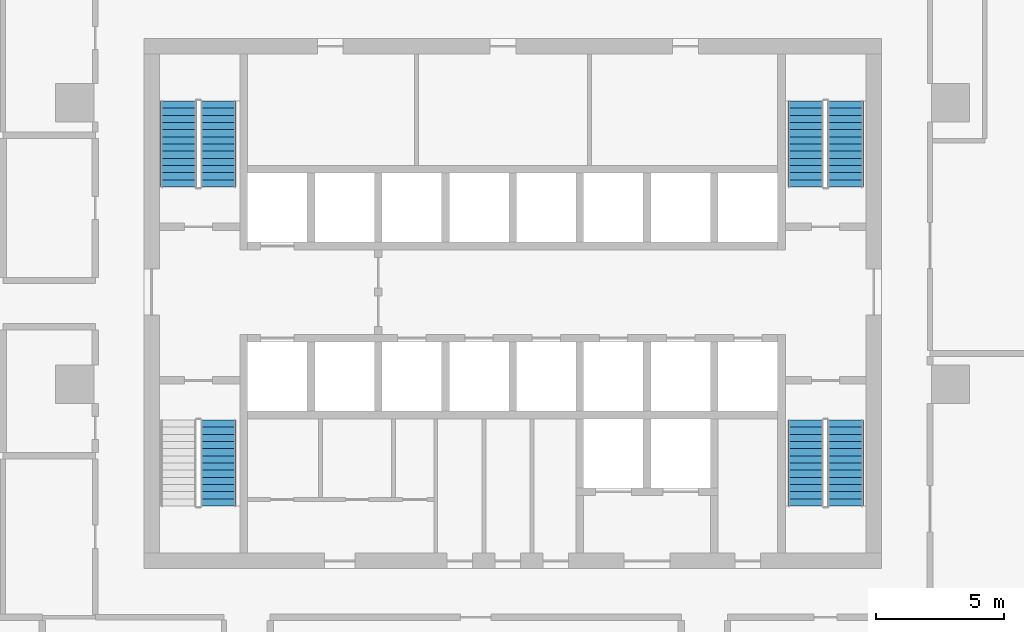
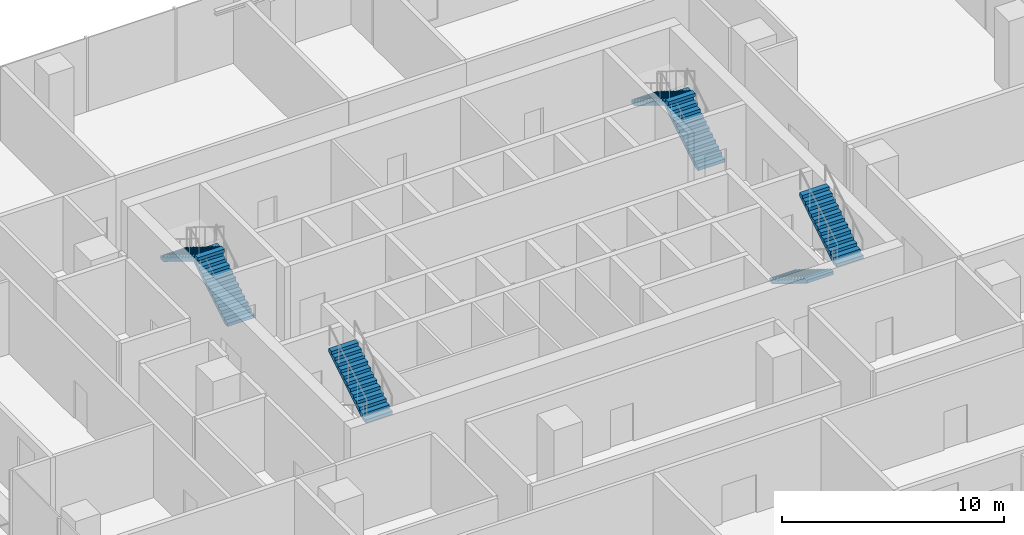
# One storey, part 11 of 15: 7 stair flights, 4 elements without a shape of their own.
"""IFC4 building model written with IfcOpenShell, lengths in metres."""

from ifc_helpers import new_model, si_unit, direction, frame, origin, place, context, subcontext, project, spatial, polyline, outline, extrude, material, type_object, element, aggregate, save


model = new_model("IFC4")

# Units and contexts
model_context = context("Model", 3, precision=1e-05, world=origin(), true_north=direction((0.0, 1.0)))
body_context = subcontext(model_context, "Body", "Model", "MODEL_VIEW")
ifc_project = project(units=[si_unit("LENGTHUNIT", "METRE"), si_unit("AREAUNIT", "SQUARE_METRE"), si_unit("VOLUMEUNIT", "CUBIC_METRE"), si_unit("PLANEANGLEUNIT", "RADIAN"), si_unit("MASSUNIT", "GRAM", prefix="KILO")], contexts=[model_context])

# Site, building, storey
site_placement = place(None, origin())
site = spatial("IfcSite", under=ifc_project, at=site_placement, CompositionType="ELEMENT")
building_placement = place(site_placement, origin())
building = spatial("IfcBuilding", under=site, at=building_placement, Name="Mopane Tessera Tower", CompositionType="ELEMENT")
storey_placement = place(building_placement, frame((0.0, 0.0, 117.10009765625)))
storey = spatial("IfcBuildingStorey", under=building, at=storey_placement, Name="L23", CompositionType="ELEMENT", Elevation=117.10009765625)

# Stair, stair flight
ifc_material_1 = material(Name="Concrete C50/60", Category="concrete")
stair_type = type_object("IfcStairType", Name="Escape stair 1400 mm, riser 173 mm", PredefinedType="HALF_TURN_STAIR", material=ifc_material_1)
stair_1_placement = place(storey_placement, origin())
stair_1 = element("IfcStair", 1, at=stair_1_placement, inside=storey, type_object=stair_type, Name="L23 Escape stair south-west", PredefinedType="HALF_TURN_STAIR")
ifc_material_2 = material(Name="Concrete C50/60", Category="concrete")
stair_flight_type = type_object("IfcStairFlightType", Name="Escape stair flight 1400 mm", PredefinedType="STRAIGHT", material=ifc_material_2)
stair_flight_1_placement = place(storey_placement, frame((-11.5, -4.760009765625, 2.25), z_axis=(0.0, 0.0, 1.0), x_axis=(0.0, 1.0, 0.0)))
stair_flight_1 = element("IfcStairFlight", 2, at=stair_flight_1_placement, type_object=stair_flight_type, Name="ST1 flight 2", NumberOfRisers=13, NumberOfTreads=12, PredefinedType="STRAIGHT", RiserHeight=0.173076923, TreadLength=0.28, context=body_context, shape_type="SweptSolid", body=[
    extrude(outline(polyline([(0.0, 0.0), (0.0, 0.173095703125), (0.280029296875, 0.173095703125), (0.280029296875, 0.34619140625), (0.56005859375, 0.34619140625), (0.56005859375, 0.519287109375), (0.840087890625, 0.519287109375), (0.840087890625, 0.6923828125), (1.1201171875, 0.6923828125), (1.1201171875, 0.865478515625), (1.39990234375, 0.865478515625), (1.39990234375, 1.03857421875), (1.679931640625, 1.03857421875), (1.679931640625, 1.21142578125), (1.9599609375, 1.21142578125), (1.9599609375, 1.384521484375), (2.239990234375, 1.384521484375), (2.239990234375, 1.5576171875), (2.52001953125, 1.5576171875), (2.52001953125, 1.730712890625), (2.800048828125, 1.730712890625), (2.800048828125, 1.90380859375), (3.080078125, 1.90380859375), (3.080078125, 2.076904296875), (3.360107421875, 2.076904296875), (3.360107421875, 2.25), (3.360107421875, 1.900634765625), (0.28515625, 0.0), (0.0, 0.0)])), frame((0.0, 0.699951171875, 0.0), z_axis=(0.0, -1.0, 0.0), x_axis=(1.0, 0.0, 0.0)), (0.0, 0.0, 1.0), 1.39990234375),
])
aggregate(stair_1, [stair_flight_1])

# Stair, stair flights
stair_2_placement = place(storey_placement, origin())
stair_2 = element("IfcStair", 3, at=stair_2_placement, inside=storey, type_object=stair_type, Name="L23 Escape stair north-west", PredefinedType="HALF_TURN_STAIR")
stair_flight_2_placement = place(storey_placement, frame((-11.5, 7.699951171875, 0.0), z_axis=(0.0, 0.0, 1.0), x_axis=(0.0, 1.0, 0.0)))
stair_flight_2 = element("IfcStairFlight", 4, at=stair_flight_2_placement, type_object=stair_flight_type, Name="ST2 flight 1", NumberOfRisers=13, NumberOfTreads=12, PredefinedType="STRAIGHT", RiserHeight=0.173076923, TreadLength=0.28, context=body_context, shape_type="SweptSolid", body=[
    extrude(outline(polyline([(0.0, 0.0), (0.0, 0.173095703125), (0.280029296875, 0.173095703125), (0.280029296875, 0.34619140625), (0.56005859375, 0.34619140625), (0.56005859375, 0.519287109375), (0.840087890625, 0.519287109375), (0.840087890625, 0.6923828125), (1.1201171875, 0.6923828125), (1.1201171875, 0.865478515625), (1.39990234375, 0.865478515625), (1.39990234375, 1.03857421875), (1.679931640625, 1.03857421875), (1.679931640625, 1.21142578125), (1.9599609375, 1.21142578125), (1.9599609375, 1.384521484375), (2.239990234375, 1.384521484375), (2.239990234375, 1.5576171875), (2.52001953125, 1.5576171875), (2.52001953125, 1.730712890625), (2.800048828125, 1.730712890625), (2.800048828125, 1.90380859375), (3.080078125, 1.90380859375), (3.080078125, 2.076904296875), (3.360107421875, 2.076904296875), (3.360107421875, 2.25), (3.360107421875, 1.900634765625), (0.28515625, 0.0), (0.0, 0.0)])), frame((0.0, 0.699951171875, 0.0), z_axis=(0.0, -1.0, 0.0), x_axis=(1.0, 0.0, 0.0)), (0.0, 0.0, 1.0), 1.39990234375),
])
stair_flight_3_placement = place(storey_placement, frame((-13.050048828125, 11.06005859375, 2.25), z_axis=(0.0, 0.0, 1.0), x_axis=(0.0, -1.0, 0.0)))
stair_flight_3 = element("IfcStairFlight", 5, at=stair_flight_3_placement, type_object=stair_flight_type, Name="ST2 flight 2", NumberOfRisers=13, NumberOfTreads=12, PredefinedType="STRAIGHT", RiserHeight=0.173076923, TreadLength=0.28, context=body_context, shape_type="SweptSolid", body=[
    extrude(outline(polyline([(0.0, 0.0), (0.0, 0.173095703125), (0.280029296875, 0.173095703125), (0.280029296875, 0.34619140625), (0.56005859375, 0.34619140625), (0.56005859375, 0.519287109375), (0.840087890625, 0.519287109375), (0.840087890625, 0.6923828125), (1.1201171875, 0.6923828125), (1.1201171875, 0.865478515625), (1.39990234375, 0.865478515625), (1.39990234375, 1.03857421875), (1.679931640625, 1.03857421875), (1.679931640625, 1.21142578125), (1.9599609375, 1.21142578125), (1.9599609375, 1.384521484375), (2.239990234375, 1.384521484375), (2.239990234375, 1.5576171875), (2.52001953125, 1.5576171875), (2.52001953125, 1.730712890625), (2.800048828125, 1.730712890625), (2.800048828125, 1.90380859375), (3.080078125, 1.90380859375), (3.080078125, 2.076904296875), (3.360107421875, 2.076904296875), (3.360107421875, 2.25), (3.360107421875, 1.900634765625), (0.28515625, 0.0), (0.0, 0.0)])), frame((0.0, 0.699951171875, 0.0), z_axis=(0.0, -1.0, 0.0), x_axis=(1.0, 0.0, 0.0)), (0.0, 0.0, 1.0), 1.39990234375),
])
aggregate(stair_2, [stair_flight_2, stair_flight_3])

stair_3_placement = place(storey_placement, origin())
stair_3 = element("IfcStair", 6, at=stair_3_placement, inside=storey, type_object=stair_type, Name="L23 Escape stair south-east", PredefinedType="HALF_TURN_STAIR")
stair_flight_4_placement = place(storey_placement, frame((11.449951171875, -1.39990234375, 0.0), z_axis=(0.0, 0.0, 1.0), x_axis=(0.0, -1.0, 0.0)))
stair_flight_4 = element("IfcStairFlight", 7, at=stair_flight_4_placement, type_object=stair_flight_type, Name="ST3 flight 1", NumberOfRisers=13, NumberOfTreads=12, PredefinedType="STRAIGHT", RiserHeight=0.173076923, TreadLength=0.28, context=body_context, shape_type="SweptSolid", body=[
    extrude(outline(polyline([(0.0, 0.0), (0.0, 0.173095703125), (0.280029296875, 0.173095703125), (0.280029296875, 0.34619140625), (0.56005859375, 0.34619140625), (0.56005859375, 0.519287109375), (0.840087890625, 0.519287109375), (0.840087890625, 0.6923828125), (1.1201171875, 0.6923828125), (1.1201171875, 0.865478515625), (1.39990234375, 0.865478515625), (1.39990234375, 1.03857421875), (1.679931640625, 1.03857421875), (1.679931640625, 1.21142578125), (1.9599609375, 1.21142578125), (1.9599609375, 1.384521484375), (2.239990234375, 1.384521484375), (2.239990234375, 1.5576171875), (2.52001953125, 1.5576171875), (2.52001953125, 1.730712890625), (2.800048828125, 1.730712890625), (2.800048828125, 1.90380859375), (3.080078125, 1.90380859375), (3.080078125, 2.076904296875), (3.360107421875, 2.076904296875), (3.360107421875, 2.25), (3.360107421875, 1.900634765625), (0.28515625, 0.0), (0.0, 0.0)])), frame((0.0, 0.699951171875, 0.0), z_axis=(0.0, -1.0, 0.0), x_axis=(1.0, 0.0, 0.0)), (0.0, 0.0, 1.0), 1.39990234375),
])
stair_flight_5_placement = place(storey_placement, frame((13.0, -4.760009765625, 2.25), z_axis=(0.0, 0.0, 1.0), x_axis=(0.0, 1.0, 0.0)))
stair_flight_5 = element("IfcStairFlight", 8, at=stair_flight_5_placement, type_object=stair_flight_type, Name="ST3 flight 2", NumberOfRisers=13, NumberOfTreads=12, PredefinedType="STRAIGHT", RiserHeight=0.173076923, TreadLength=0.28, context=body_context, shape_type="SweptSolid", body=[
    extrude(outline(polyline([(0.0, 0.0), (0.0, 0.173095703125), (0.280029296875, 0.173095703125), (0.280029296875, 0.34619140625), (0.56005859375, 0.34619140625), (0.56005859375, 0.519287109375), (0.840087890625, 0.519287109375), (0.840087890625, 0.6923828125), (1.1201171875, 0.6923828125), (1.1201171875, 0.865478515625), (1.39990234375, 0.865478515625), (1.39990234375, 1.03857421875), (1.679931640625, 1.03857421875), (1.679931640625, 1.21142578125), (1.9599609375, 1.21142578125), (1.9599609375, 1.384521484375), (2.239990234375, 1.384521484375), (2.239990234375, 1.5576171875), (2.52001953125, 1.5576171875), (2.52001953125, 1.730712890625), (2.800048828125, 1.730712890625), (2.800048828125, 1.90380859375), (3.080078125, 1.90380859375), (3.080078125, 2.076904296875), (3.360107421875, 2.076904296875), (3.360107421875, 2.25), (3.360107421875, 1.900634765625), (0.28515625, 0.0), (0.0, 0.0)])), frame((0.0, 0.699951171875, 0.0), z_axis=(0.0, -1.0, 0.0), x_axis=(1.0, 0.0, 0.0)), (0.0, 0.0, 1.0), 1.39990234375),
])
aggregate(stair_3, [stair_flight_4, stair_flight_5])

stair_4_placement = place(storey_placement, origin())
stair_4 = element("IfcStair", 9, at=stair_4_placement, inside=storey, type_object=stair_type, Name="L23 Escape stair north-east", PredefinedType="HALF_TURN_STAIR")
stair_flight_6_placement = place(storey_placement, frame((13.0, 7.699951171875, 0.0), z_axis=(0.0, 0.0, 1.0), x_axis=(0.0, 1.0, 0.0)))
stair_flight_6 = element("IfcStairFlight", 10, at=stair_flight_6_placement, type_object=stair_flight_type, Name="ST4 flight 1", NumberOfRisers=13, NumberOfTreads=12, PredefinedType="STRAIGHT", RiserHeight=0.173076923, TreadLength=0.28, context=body_context, shape_type="SweptSolid", body=[
    extrude(outline(polyline([(0.0, 0.0), (0.0, 0.173095703125), (0.280029296875, 0.173095703125), (0.280029296875, 0.34619140625), (0.56005859375, 0.34619140625), (0.56005859375, 0.519287109375), (0.840087890625, 0.519287109375), (0.840087890625, 0.6923828125), (1.1201171875, 0.6923828125), (1.1201171875, 0.865478515625), (1.39990234375, 0.865478515625), (1.39990234375, 1.03857421875), (1.679931640625, 1.03857421875), (1.679931640625, 1.21142578125), (1.9599609375, 1.21142578125), (1.9599609375, 1.384521484375), (2.239990234375, 1.384521484375), (2.239990234375, 1.5576171875), (2.52001953125, 1.5576171875), (2.52001953125, 1.730712890625), (2.800048828125, 1.730712890625), (2.800048828125, 1.90380859375), (3.080078125, 1.90380859375), (3.080078125, 2.076904296875), (3.360107421875, 2.076904296875), (3.360107421875, 2.25), (3.360107421875, 1.900634765625), (0.28515625, 0.0), (0.0, 0.0)])), frame((0.0, 0.699951171875, 0.0), z_axis=(0.0, -1.0, 0.0), x_axis=(1.0, 0.0, 0.0)), (0.0, 0.0, 1.0), 1.39990234375),
])
stair_flight_7_placement = place(storey_placement, frame((11.449951171875, 11.06005859375, 2.25), z_axis=(0.0, 0.0, 1.0), x_axis=(0.0, -1.0, 0.0)))
stair_flight_7 = element("IfcStairFlight", 11, at=stair_flight_7_placement, type_object=stair_flight_type, Name="ST4 flight 2", NumberOfRisers=13, NumberOfTreads=12, PredefinedType="STRAIGHT", RiserHeight=0.173076923, TreadLength=0.28, context=body_context, shape_type="SweptSolid", body=[
    extrude(outline(polyline([(0.0, 0.0), (0.0, 0.173095703125), (0.280029296875, 0.173095703125), (0.280029296875, 0.34619140625), (0.56005859375, 0.34619140625), (0.56005859375, 0.519287109375), (0.840087890625, 0.519287109375), (0.840087890625, 0.6923828125), (1.1201171875, 0.6923828125), (1.1201171875, 0.865478515625), (1.39990234375, 0.865478515625), (1.39990234375, 1.03857421875), (1.679931640625, 1.03857421875), (1.679931640625, 1.21142578125), (1.9599609375, 1.21142578125), (1.9599609375, 1.384521484375), (2.239990234375, 1.384521484375), (2.239990234375, 1.5576171875), (2.52001953125, 1.5576171875), (2.52001953125, 1.730712890625), (2.800048828125, 1.730712890625), (2.800048828125, 1.90380859375), (3.080078125, 1.90380859375), (3.080078125, 2.076904296875), (3.360107421875, 2.076904296875), (3.360107421875, 2.25), (3.360107421875, 1.900634765625), (0.28515625, 0.0), (0.0, 0.0)])), frame((0.0, 0.699951171875, 0.0), z_axis=(0.0, -1.0, 0.0), x_axis=(1.0, 0.0, 0.0)), (0.0, 0.0, 1.0), 1.39990234375),
])
aggregate(stair_4, [stair_flight_6, stair_flight_7])

save(model, "model.ifc")
